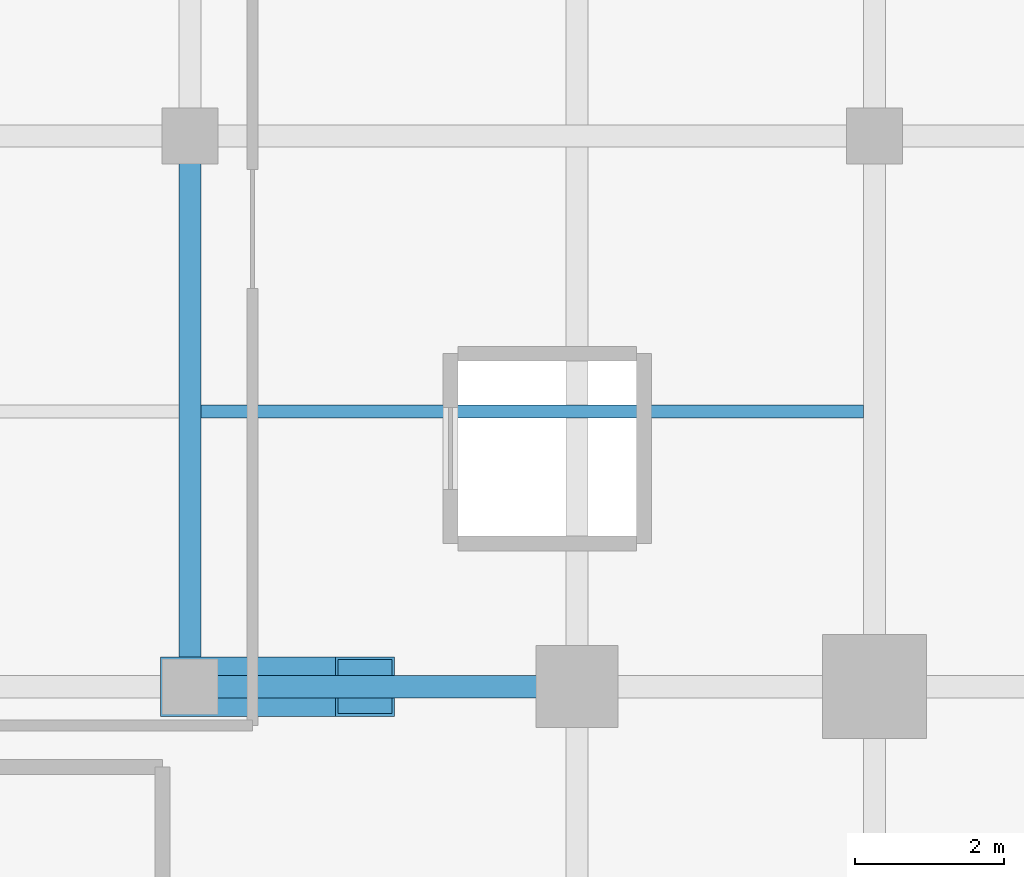
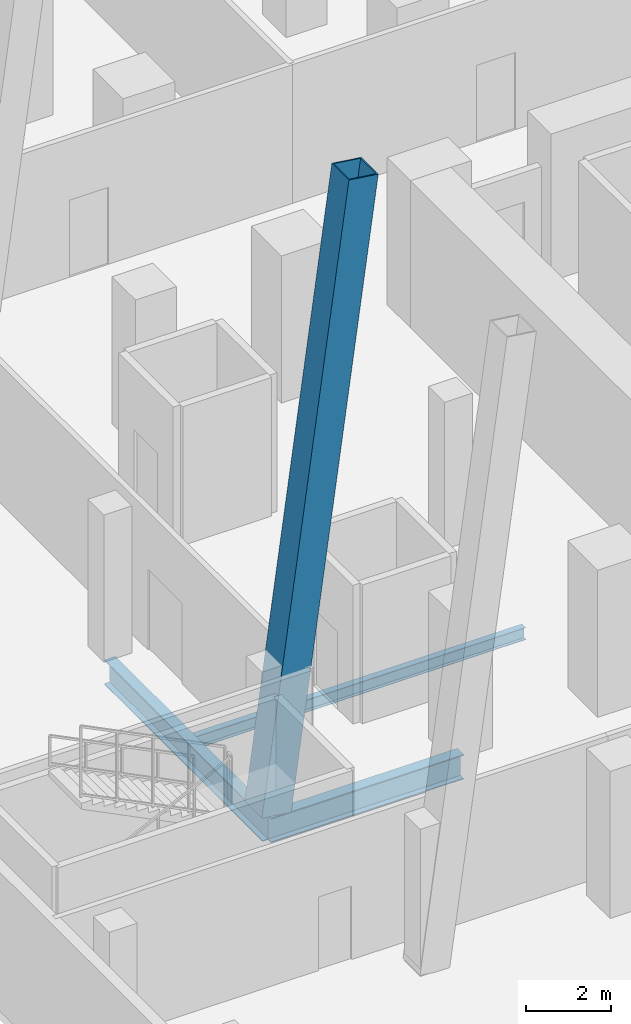
# One storey, part 3 of 23: 3 beams, 1 member.
"""IFC4 building model written with IfcOpenShell, lengths in metres."""

from ifc_helpers import new_model, si_unit, direction, frame, origin, origin_2d, place, context, subcontext, project, spatial, hollow_rectangle, i_section, extrude, material, material_profile, profile_set, type_object, element, save


model = new_model("IFC4")

# Units and contexts
model_context = context("Model", 3, precision=1e-05, world=origin(), true_north=direction((0.0, 1.0)))
body_context = subcontext(model_context, "Body", "Model", "MODEL_VIEW")
ifc_project = project(units=[si_unit("LENGTHUNIT", "METRE"), si_unit("AREAUNIT", "SQUARE_METRE"), si_unit("VOLUMEUNIT", "CUBIC_METRE"), si_unit("PLANEANGLEUNIT", "RADIAN"), si_unit("MASSUNIT", "GRAM", prefix="KILO")], contexts=[model_context])

# Site, building, storey
site_placement = place(None, origin())
site = spatial("IfcSite", under=ifc_project, at=site_placement, CompositionType="ELEMENT")
building_placement = place(site_placement, origin())
building = spatial("IfcBuilding", under=site, at=building_placement, Name="Khorvyn Point Tower", CompositionType="ELEMENT")
storey_placement = place(building_placement, frame((0.0, 0.0, 9.0)))
storey = spatial("IfcBuildingStorey", under=building, at=storey_placement, Name="L03", CompositionType="ELEMENT", Elevation=9.0)

# Beams
ifc_material_1 = material(Name="Steel S355", Category="steel")
ifc_material_profile_1 = material_profile(ifc_material_1, i_section(OverallWidth=0.300048828125, OverallDepth=0.699951171875, WebThickness=0.012939453125, FlangeThickness=0.02392578125, at=origin_2d()))
ifc_profile_set_1 = profile_set([ifc_material_profile_1], Name="Steel S355 H700x300x13x24")
beam_type_1 = type_object("IfcBeamType", Name="Steel S355 Beam H700x300x13x24", PredefinedType="BEAM", material=ifc_profile_set_1)
beam_1_placement = place(storey_placement, frame((-24.0, -7.39990234375, -0.590087890625), z_axis=(1.0, 0.0, 0.0), x_axis=(0.0, 1.0, 0.0)))
element("IfcBeam", 1, at=beam_1_placement, inside=storey, type_object=beam_type_1, Name="Beam", PredefinedType="BEAM", context=body_context, shape_type="SweptSolid", body=[
    extrude(i_section(OverallWidth=0.300048828125, OverallDepth=0.699951171875, WebThickness=0.012939453125, FlangeThickness=0.02392578125, at=origin_2d()), origin(), (0.0, 0.0, 1.0), 5.199951171875),
])
beam_2_placement = place(storey_placement, frame((-24.0, -7.39990234375, -0.590087890625), z_axis=(0.0, 1.0, 0.0), x_axis=(-1.0, 0.0, 0.0)))
element("IfcBeam", 2, at=beam_2_placement, inside=storey, type_object=beam_type_1, Name="Beam", PredefinedType="BEAM", context=body_context, shape_type="SweptSolid", body=[
    extrude(i_section(OverallWidth=0.300048828125, OverallDepth=0.699951171875, WebThickness=0.012939453125, FlangeThickness=0.02392578125, at=origin_2d()), origin(), (0.0, 0.0, 1.0), 7.39990234375),
])
ifc_material_profile_2 = material_profile(ifc_material_1, i_section(OverallWidth=0.175048828125, OverallDepth=0.35009765625, WebThickness=0.007080078125, FlangeThickness=0.010986328125, at=origin_2d()))
ifc_profile_set_2 = profile_set([ifc_material_profile_2], Name="Steel S355 H350x175x7x11")
beam_type_2 = type_object("IfcBeamType", Name="Steel S355 Joist H350x175x7x11", PredefinedType="JOIST", material=ifc_profile_set_2)
beam_3_placement = place(storey_placement, frame((-23.85009765625, -3.699951171875, -0.4150390625), z_axis=(1.0, 0.0, 0.0), x_axis=(0.0, 1.0, 0.0)))
element("IfcBeam", 3, at=beam_3_placement, inside=storey, type_object=beam_type_2, Name="Beam", PredefinedType="JOIST", context=body_context, shape_type="SweptSolid", body=[
    extrude(i_section(OverallWidth=0.175048828125, OverallDepth=0.35009765625, WebThickness=0.007080078125, FlangeThickness=0.010986328125, at=origin_2d()), origin(), (0.0, 0.0, 1.0), 8.900146484375),
])

# Member
ifc_material_2 = material(Name="Steel S450", Category="steel")
ifc_material_profile_3 = material_profile(ifc_material_2, hollow_rectangle(XDim=0.800048828125, YDim=0.800048828125, WallThickness=0.035888671875, at=origin_2d()))
ifc_profile_set_3 = profile_set([ifc_material_profile_3], Name="Steel S450 BOX800x800x36")
member_type = type_object("IfcMemberType", Name="Steel S450 Exoskeleton Structural Post BOX800x800x36", PredefinedType="POST", material=ifc_profile_set_3)
member_placement = place(storey_placement, frame((-24.0, -7.39990234375, 0.0), z_axis=(0.13384851085, 0.0, 0.991001804309), x_axis=(0.0, 1.0, 0.0)))
element("IfcMember", 4, at=member_placement, inside=storey, type_object=member_type, Name="L03 to L07 Exoskeleton Transfer Post 11", PredefinedType="POST", context=body_context, shape_type="SweptSolid", body=[
    extrude(hollow_rectangle(XDim=0.800048828125, YDim=0.800048828125, WallThickness=0.035888671875, at=origin_2d()), origin(), (0.0, 0.0, 1.0), 17.557861328125),
])

save(model, "model.ifc")
